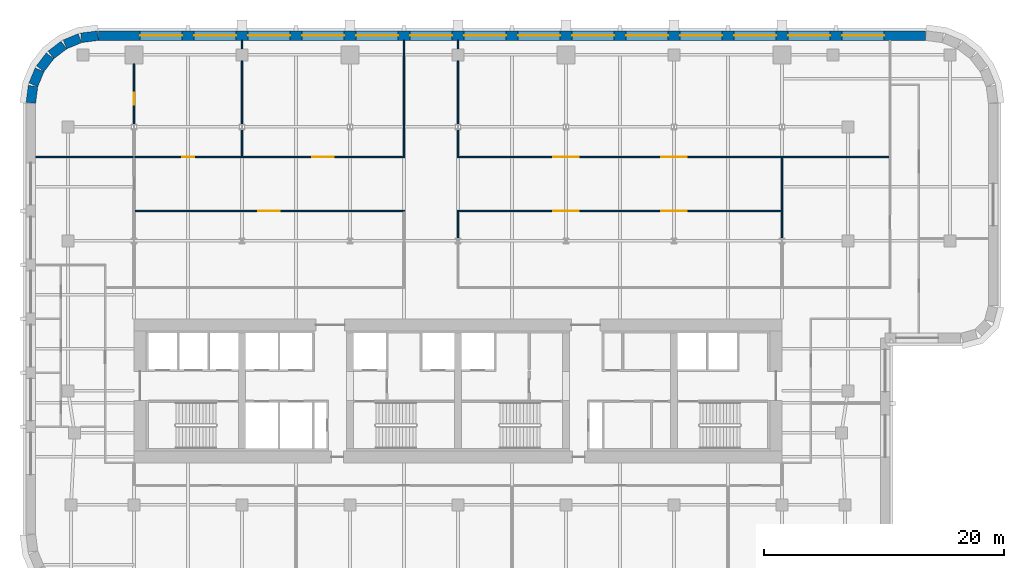
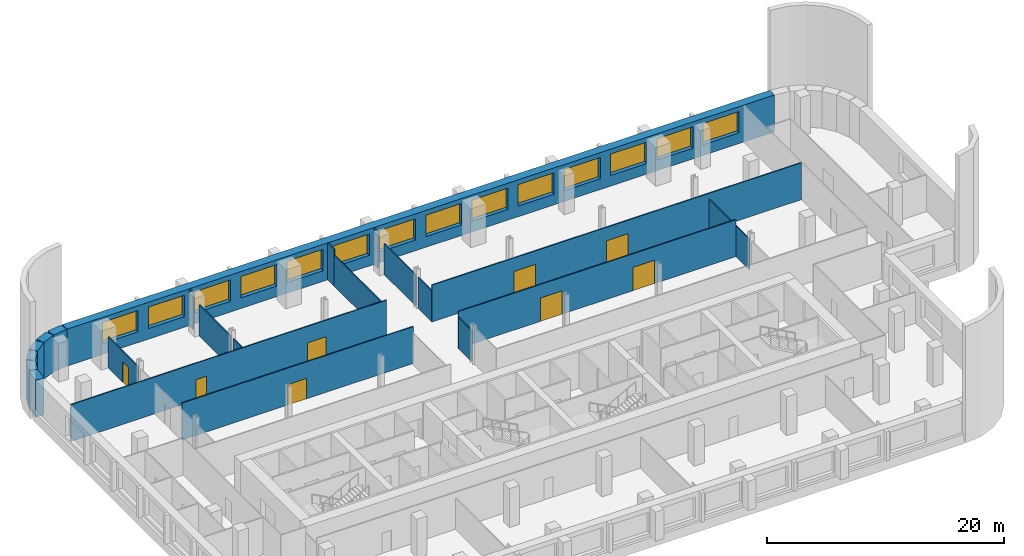
# One storey, part 6 of 10: 22 walls, 14 windows, 8 doors, 22 openings.
"""IFC4 building model written with IfcOpenShell, lengths in metres."""

from ifc_helpers import new_model, si_unit, direction, frame, frame_2d, origin, place, context, subcontext, project, spatial, rectangle, extrude, material, layer, layer_set, type_object, element, fill, save


model = new_model("IFC4")

# Units and contexts
model_context = context("Model", 3, precision=1e-05, world=origin(), true_north=direction((0.0, 1.0)))
body_context = subcontext(model_context, "Body", "Model", "MODEL_VIEW")
ifc_project = project(units=[si_unit("LENGTHUNIT", "METRE"), si_unit("AREAUNIT", "SQUARE_METRE"), si_unit("VOLUMEUNIT", "CUBIC_METRE"), si_unit("PLANEANGLEUNIT", "RADIAN"), si_unit("MASSUNIT", "GRAM", prefix="KILO")], contexts=[model_context])

# Site, building, storey
site_placement = place(None, origin())
site = spatial("IfcSite", under=ifc_project, at=site_placement, CompositionType="ELEMENT")
building_placement = place(site_placement, origin())
building = spatial("IfcBuilding", under=site, at=building_placement, Name="Zellij Exchange Tower", CompositionType="ELEMENT")
storey_placement = place(building_placement, frame((0.0, 0.0, 120.5)))
storey = spatial("IfcBuildingStorey", under=building, at=storey_placement, Name="L26", CompositionType="ELEMENT", Elevation=120.5)

# Wall, openings, windows
ifc_material_1 = material(Name="Precast concrete C40/50", Category="concrete")
ifc_layer_1 = layer(ifc_material_1, 0.800048828125)
ifc_layer_set_1 = layer_set([ifc_layer_1], Name="Precast concrete C40/50")
wall_type_1 = type_object("IfcWallType", Name="ENV-EW1 Precast stone-piered wall 800", PredefinedType="SOLIDWALL", material=ifc_layer_set_1)
wall_1_placement = place(storey_placement, frame((38.947509765625, 21.60009765625, 0.0), z_axis=(0.0, 0.0, 1.0), x_axis=(-1.0, 0.0, 0.0)))
wall_1 = element("IfcWall", 1, at=wall_1_placement, inside=storey, type_object=wall_type_1, Name="fac.L26.19", PredefinedType="SOLIDWALL", context=body_context, shape_type="SweptSolid", body=[
    extrude(rectangle(XDim=68.89501953125, YDim=0.800048828125, at=frame_2d((34.447509765625, 0.0))), origin(), (0.0, 0.0, 1.0), 3.800048828125),
])
opening_1_placement = place(wall_1_placement, frame((3.447509765625, 0.0, 1.10009765625)))
opening_1 = element("IfcOpeningElement", 2, at=opening_1_placement, cuts=wall_1, Name="Opening FZ2.17", PredefinedType="OPENING", context=body_context, shape_type="SweptSolid", body=[
    extrude(rectangle(XDim=3.5, YDim=2.199951171875, at=frame_2d((1.75, 1.10009765625))), frame((0.0, 0.412109375, 0.0), z_axis=(0.0, -1.0, 0.0), x_axis=(1.0, 0.0, 0.0)), (0.0, 0.0, 1.0), 0.823974609375),
])
opening_2_placement = place(wall_1_placement, frame((7.947509765625, 0.0, 1.10009765625)))
opening_2 = element("IfcOpeningElement", 3, at=opening_2_placement, cuts=wall_1, Name="Opening FZ2.18", PredefinedType="OPENING", context=body_context, shape_type="SweptSolid", body=[
    extrude(rectangle(XDim=3.5, YDim=2.199951171875, at=frame_2d((1.75, 1.10009765625))), frame((0.0, 0.412109375, 0.0), z_axis=(0.0, -1.0, 0.0), x_axis=(1.0, 0.0, 0.0)), (0.0, 0.0, 1.0), 0.823974609375),
])
opening_3_placement = place(wall_1_placement, frame((12.447509765625, 0.0, 1.10009765625)))
opening_3 = element("IfcOpeningElement", 4, at=opening_3_placement, cuts=wall_1, Name="Opening FZ2.19", PredefinedType="OPENING", context=body_context, shape_type="SweptSolid", body=[
    extrude(rectangle(XDim=3.5, YDim=2.199951171875, at=frame_2d((1.75, 1.10009765625))), frame((0.0, 0.412109375, 0.0), z_axis=(0.0, -1.0, 0.0), x_axis=(1.0, 0.0, 0.0)), (0.0, 0.0, 1.0), 0.823974609375),
])
opening_4_placement = place(wall_1_placement, frame((16.947509765625, 0.0, 1.10009765625)))
opening_4 = element("IfcOpeningElement", 5, at=opening_4_placement, cuts=wall_1, Name="Opening FZ2.20", PredefinedType="OPENING", context=body_context, shape_type="SweptSolid", body=[
    extrude(rectangle(XDim=3.5, YDim=2.199951171875, at=frame_2d((1.75, 1.10009765625))), frame((0.0, 0.412109375, 0.0), z_axis=(0.0, -1.0, 0.0), x_axis=(1.0, 0.0, 0.0)), (0.0, 0.0, 1.0), 0.823974609375),
])
opening_5_placement = place(wall_1_placement, frame((21.447509765625, 0.0, 1.10009765625)))
opening_5 = element("IfcOpeningElement", 6, at=opening_5_placement, cuts=wall_1, Name="Opening FZ2.21", PredefinedType="OPENING", context=body_context, shape_type="SweptSolid", body=[
    extrude(rectangle(XDim=3.5, YDim=2.199951171875, at=frame_2d((1.75, 1.10009765625))), frame((0.0, 0.412109375, 0.0), z_axis=(0.0, -1.0, 0.0), x_axis=(1.0, 0.0, 0.0)), (0.0, 0.0, 1.0), 0.823974609375),
])
opening_6_placement = place(wall_1_placement, frame((25.947509765625, 0.0, 1.10009765625)))
opening_6 = element("IfcOpeningElement", 7, at=opening_6_placement, cuts=wall_1, Name="Opening FZ2.22", PredefinedType="OPENING", context=body_context, shape_type="SweptSolid", body=[
    extrude(rectangle(XDim=3.5, YDim=2.199951171875, at=frame_2d((1.75, 1.10009765625))), frame((0.0, 0.412109375, 0.0), z_axis=(0.0, -1.0, 0.0), x_axis=(1.0, 0.0, 0.0)), (0.0, 0.0, 1.0), 0.823974609375),
])
opening_7_placement = place(wall_1_placement, frame((30.447509765625, 0.0, 1.10009765625)))
opening_7 = element("IfcOpeningElement", 8, at=opening_7_placement, cuts=wall_1, Name="Opening FZ2.23", PredefinedType="OPENING", context=body_context, shape_type="SweptSolid", body=[
    extrude(rectangle(XDim=3.5, YDim=2.199951171875, at=frame_2d((1.75, 1.10009765625))), frame((0.0, 0.412109375, 0.0), z_axis=(0.0, -1.0, 0.0), x_axis=(1.0, 0.0, 0.0)), (0.0, 0.0, 1.0), 0.823974609375),
])
opening_8_placement = place(wall_1_placement, frame((34.947509765625, 0.0, 1.10009765625)))
opening_8 = element("IfcOpeningElement", 9, at=opening_8_placement, cuts=wall_1, Name="Opening FZ2.24", PredefinedType="OPENING", context=body_context, shape_type="SweptSolid", body=[
    extrude(rectangle(XDim=3.5, YDim=2.199951171875, at=frame_2d((1.75, 1.10009765625))), frame((0.0, 0.412109375, 0.0), z_axis=(0.0, -1.0, 0.0), x_axis=(1.0, 0.0, 0.0)), (0.0, 0.0, 1.0), 0.823974609375),
])
opening_9_placement = place(wall_1_placement, frame((39.447509765625, 0.0, 1.10009765625)))
opening_9 = element("IfcOpeningElement", 10, at=opening_9_placement, cuts=wall_1, Name="Opening FZ2.25", PredefinedType="OPENING", context=body_context, shape_type="SweptSolid", body=[
    extrude(rectangle(XDim=3.5, YDim=2.199951171875, at=frame_2d((1.75, 1.10009765625))), frame((0.0, 0.412109375, 0.0), z_axis=(0.0, -1.0, 0.0), x_axis=(1.0, 0.0, 0.0)), (0.0, 0.0, 1.0), 0.823974609375),
])
opening_10_placement = place(wall_1_placement, frame((43.947509765625, 0.0, 1.10009765625)))
opening_10 = element("IfcOpeningElement", 11, at=opening_10_placement, cuts=wall_1, Name="Opening FZ2.26", PredefinedType="OPENING", context=body_context, shape_type="SweptSolid", body=[
    extrude(rectangle(XDim=3.5, YDim=2.199951171875, at=frame_2d((1.75, 1.10009765625))), frame((0.0, 0.412109375, 0.0), z_axis=(0.0, -1.0, 0.0), x_axis=(1.0, 0.0, 0.0)), (0.0, 0.0, 1.0), 0.823974609375),
])
opening_11_placement = place(wall_1_placement, frame((48.447509765625, 0.0, 1.10009765625)))
opening_11 = element("IfcOpeningElement", 12, at=opening_11_placement, cuts=wall_1, Name="Opening FZ2.27", PredefinedType="OPENING", context=body_context, shape_type="SweptSolid", body=[
    extrude(rectangle(XDim=3.5, YDim=2.199951171875, at=frame_2d((1.75, 1.10009765625))), frame((0.0, 0.412109375, 0.0), z_axis=(0.0, -1.0, 0.0), x_axis=(1.0, 0.0, 0.0)), (0.0, 0.0, 1.0), 0.823974609375),
])
opening_12_placement = place(wall_1_placement, frame((52.947509765625, 0.0, 1.10009765625)))
opening_12 = element("IfcOpeningElement", 13, at=opening_12_placement, cuts=wall_1, Name="Opening FZ2.28", PredefinedType="OPENING", context=body_context, shape_type="SweptSolid", body=[
    extrude(rectangle(XDim=3.5, YDim=2.199951171875, at=frame_2d((1.75, 1.10009765625))), frame((0.0, 0.412109375, 0.0), z_axis=(0.0, -1.0, 0.0), x_axis=(1.0, 0.0, 0.0)), (0.0, 0.0, 1.0), 0.823974609375),
])
opening_13_placement = place(wall_1_placement, frame((57.447509765625, 0.0, 1.10009765625)))
opening_13 = element("IfcOpeningElement", 14, at=opening_13_placement, cuts=wall_1, Name="Opening FZ2.29", PredefinedType="OPENING", context=body_context, shape_type="SweptSolid", body=[
    extrude(rectangle(XDim=3.5, YDim=2.199951171875, at=frame_2d((1.75, 1.10009765625))), frame((0.0, 0.412109375, 0.0), z_axis=(0.0, -1.0, 0.0), x_axis=(1.0, 0.0, 0.0)), (0.0, 0.0, 1.0), 0.823974609375),
])
opening_14_placement = place(wall_1_placement, frame((61.947509765625, 0.0, 1.10009765625)))
opening_14 = element("IfcOpeningElement", 15, at=opening_14_placement, cuts=wall_1, Name="Opening FZ2.30", PredefinedType="OPENING", context=body_context, shape_type="SweptSolid", body=[
    extrude(rectangle(XDim=3.5, YDim=2.199951171875, at=frame_2d((1.75, 1.10009765625))), frame((0.0, 0.412109375, 0.0), z_axis=(0.0, -1.0, 0.0), x_axis=(1.0, 0.0, 0.0)), (0.0, 0.0, 1.0), 0.823974609375),
])
ifc_material_2 = material(Name="Aluminium frame with insulating glass", Category="aluminium")
window_type = type_object("IfcWindowType", Name="ENV-W7 Window 3500x2200", PartitioningType="SINGLE_PANEL", PredefinedType="WINDOW", material=ifc_material_2)
window_1_placement = place(opening_1_placement, origin())
window_1 = element("IfcWindow", 16, at=window_1_placement, inside=storey, type_object=window_type, Name="Window FZ2.17", OverallHeight=2.199951171875, OverallWidth=3.5, PartitioningType="SINGLE_PANEL", PredefinedType="WINDOW", context=body_context, shape_type="SweptSolid", body=[
    extrude(rectangle(XDim=3.5, YDim=2.199951171875, at=frame_2d((1.75, 1.10009765625))), frame((0.0, 0.030029296875, 0.0), z_axis=(0.0, -1.0, 0.0), x_axis=(1.0, 0.0, 0.0)), (0.0, 0.0, 1.0), 0.06005859375),
])
fill(opening_1, window_1)
window_2_placement = place(opening_2_placement, origin())
window_2 = element("IfcWindow", 17, at=window_2_placement, inside=storey, type_object=window_type, Name="Window FZ2.18", OverallHeight=2.199951171875, OverallWidth=3.5, PartitioningType="SINGLE_PANEL", PredefinedType="WINDOW", context=body_context, shape_type="SweptSolid", body=[
    extrude(rectangle(XDim=3.5, YDim=2.199951171875, at=frame_2d((1.75, 1.10009765625))), frame((0.0, 0.030029296875, 0.0), z_axis=(0.0, -1.0, 0.0), x_axis=(1.0, 0.0, 0.0)), (0.0, 0.0, 1.0), 0.06005859375),
])
fill(opening_2, window_2)
window_3_placement = place(opening_3_placement, origin())
window_3 = element("IfcWindow", 18, at=window_3_placement, inside=storey, type_object=window_type, Name="Window FZ2.19", OverallHeight=2.199951171875, OverallWidth=3.5, PartitioningType="SINGLE_PANEL", PredefinedType="WINDOW", context=body_context, shape_type="SweptSolid", body=[
    extrude(rectangle(XDim=3.5, YDim=2.199951171875, at=frame_2d((1.75, 1.10009765625))), frame((0.0, 0.030029296875, 0.0), z_axis=(0.0, -1.0, 0.0), x_axis=(1.0, 0.0, 0.0)), (0.0, 0.0, 1.0), 0.06005859375),
])
fill(opening_3, window_3)
window_4_placement = place(opening_4_placement, origin())
window_4 = element("IfcWindow", 19, at=window_4_placement, inside=storey, type_object=window_type, Name="Window FZ2.20", OverallHeight=2.199951171875, OverallWidth=3.5, PartitioningType="SINGLE_PANEL", PredefinedType="WINDOW", context=body_context, shape_type="SweptSolid", body=[
    extrude(rectangle(XDim=3.5, YDim=2.199951171875, at=frame_2d((1.75, 1.10009765625))), frame((0.0, 0.030029296875, 0.0), z_axis=(0.0, -1.0, 0.0), x_axis=(1.0, 0.0, 0.0)), (0.0, 0.0, 1.0), 0.06005859375),
])
fill(opening_4, window_4)
window_5_placement = place(opening_5_placement, origin())
window_5 = element("IfcWindow", 20, at=window_5_placement, inside=storey, type_object=window_type, Name="Window FZ2.21", OverallHeight=2.199951171875, OverallWidth=3.5, PartitioningType="SINGLE_PANEL", PredefinedType="WINDOW", context=body_context, shape_type="SweptSolid", body=[
    extrude(rectangle(XDim=3.5, YDim=2.199951171875, at=frame_2d((1.75, 1.10009765625))), frame((0.0, 0.030029296875, 0.0), z_axis=(0.0, -1.0, 0.0), x_axis=(1.0, 0.0, 0.0)), (0.0, 0.0, 1.0), 0.06005859375),
])
fill(opening_5, window_5)
window_6_placement = place(opening_6_placement, origin())
window_6 = element("IfcWindow", 21, at=window_6_placement, inside=storey, type_object=window_type, Name="Window FZ2.22", OverallHeight=2.199951171875, OverallWidth=3.5, PartitioningType="SINGLE_PANEL", PredefinedType="WINDOW", context=body_context, shape_type="SweptSolid", body=[
    extrude(rectangle(XDim=3.5, YDim=2.199951171875, at=frame_2d((1.75, 1.10009765625))), frame((0.0, 0.030029296875, 0.0), z_axis=(0.0, -1.0, 0.0), x_axis=(1.0, 0.0, 0.0)), (0.0, 0.0, 1.0), 0.06005859375),
])
fill(opening_6, window_6)
window_7_placement = place(opening_7_placement, origin())
window_7 = element("IfcWindow", 22, at=window_7_placement, inside=storey, type_object=window_type, Name="Window FZ2.23", OverallHeight=2.199951171875, OverallWidth=3.5, PartitioningType="SINGLE_PANEL", PredefinedType="WINDOW", context=body_context, shape_type="SweptSolid", body=[
    extrude(rectangle(XDim=3.5, YDim=2.199951171875, at=frame_2d((1.75, 1.10009765625))), frame((0.0, 0.030029296875, 0.0), z_axis=(0.0, -1.0, 0.0), x_axis=(1.0, 0.0, 0.0)), (0.0, 0.0, 1.0), 0.06005859375),
])
fill(opening_7, window_7)
window_8_placement = place(opening_8_placement, origin())
window_8 = element("IfcWindow", 23, at=window_8_placement, inside=storey, type_object=window_type, Name="Window FZ2.24", OverallHeight=2.199951171875, OverallWidth=3.5, PartitioningType="SINGLE_PANEL", PredefinedType="WINDOW", context=body_context, shape_type="SweptSolid", body=[
    extrude(rectangle(XDim=3.5, YDim=2.199951171875, at=frame_2d((1.75, 1.10009765625))), frame((0.0, 0.030029296875, 0.0), z_axis=(0.0, -1.0, 0.0), x_axis=(1.0, 0.0, 0.0)), (0.0, 0.0, 1.0), 0.06005859375),
])
fill(opening_8, window_8)
window_9_placement = place(opening_9_placement, origin())
window_9 = element("IfcWindow", 24, at=window_9_placement, inside=storey, type_object=window_type, Name="Window FZ2.25", OverallHeight=2.199951171875, OverallWidth=3.5, PartitioningType="SINGLE_PANEL", PredefinedType="WINDOW", context=body_context, shape_type="SweptSolid", body=[
    extrude(rectangle(XDim=3.5, YDim=2.199951171875, at=frame_2d((1.75, 1.10009765625))), frame((0.0, 0.030029296875, 0.0), z_axis=(0.0, -1.0, 0.0), x_axis=(1.0, 0.0, 0.0)), (0.0, 0.0, 1.0), 0.06005859375),
])
fill(opening_9, window_9)
window_10_placement = place(opening_10_placement, origin())
window_10 = element("IfcWindow", 25, at=window_10_placement, inside=storey, type_object=window_type, Name="Window FZ2.26", OverallHeight=2.199951171875, OverallWidth=3.5, PartitioningType="SINGLE_PANEL", PredefinedType="WINDOW", context=body_context, shape_type="SweptSolid", body=[
    extrude(rectangle(XDim=3.5, YDim=2.199951171875, at=frame_2d((1.75, 1.10009765625))), frame((0.0, 0.030029296875, 0.0), z_axis=(0.0, -1.0, 0.0), x_axis=(1.0, 0.0, 0.0)), (0.0, 0.0, 1.0), 0.06005859375),
])
fill(opening_10, window_10)
window_11_placement = place(opening_11_placement, origin())
window_11 = element("IfcWindow", 26, at=window_11_placement, inside=storey, type_object=window_type, Name="Window FZ2.27", OverallHeight=2.199951171875, OverallWidth=3.5, PartitioningType="SINGLE_PANEL", PredefinedType="WINDOW", context=body_context, shape_type="SweptSolid", body=[
    extrude(rectangle(XDim=3.5, YDim=2.199951171875, at=frame_2d((1.75, 1.10009765625))), frame((0.0, 0.030029296875, 0.0), z_axis=(0.0, -1.0, 0.0), x_axis=(1.0, 0.0, 0.0)), (0.0, 0.0, 1.0), 0.06005859375),
])
fill(opening_11, window_11)
window_12_placement = place(opening_12_placement, origin())
window_12 = element("IfcWindow", 27, at=window_12_placement, inside=storey, type_object=window_type, Name="Window FZ2.28", OverallHeight=2.199951171875, OverallWidth=3.5, PartitioningType="SINGLE_PANEL", PredefinedType="WINDOW", context=body_context, shape_type="SweptSolid", body=[
    extrude(rectangle(XDim=3.5, YDim=2.199951171875, at=frame_2d((1.75, 1.10009765625))), frame((0.0, 0.030029296875, 0.0), z_axis=(0.0, -1.0, 0.0), x_axis=(1.0, 0.0, 0.0)), (0.0, 0.0, 1.0), 0.06005859375),
])
fill(opening_12, window_12)
window_13_placement = place(opening_13_placement, origin())
window_13 = element("IfcWindow", 28, at=window_13_placement, inside=storey, type_object=window_type, Name="Window FZ2.29", OverallHeight=2.199951171875, OverallWidth=3.5, PartitioningType="SINGLE_PANEL", PredefinedType="WINDOW", context=body_context, shape_type="SweptSolid", body=[
    extrude(rectangle(XDim=3.5, YDim=2.199951171875, at=frame_2d((1.75, 1.10009765625))), frame((0.0, 0.030029296875, 0.0), z_axis=(0.0, -1.0, 0.0), x_axis=(1.0, 0.0, 0.0)), (0.0, 0.0, 1.0), 0.06005859375),
])
fill(opening_13, window_13)
window_14_placement = place(opening_14_placement, origin())
window_14 = element("IfcWindow", 29, at=window_14_placement, inside=storey, type_object=window_type, Name="Window FZ2.30", OverallHeight=2.199951171875, OverallWidth=3.5, PartitioningType="SINGLE_PANEL", PredefinedType="WINDOW", context=body_context, shape_type="SweptSolid", body=[
    extrude(rectangle(XDim=3.5, YDim=2.199951171875, at=frame_2d((1.75, 1.10009765625))), frame((0.0, 0.030029296875, 0.0), z_axis=(0.0, -1.0, 0.0), x_axis=(1.0, 0.0, 0.0)), (0.0, 0.0, 1.0), 0.06005859375),
])
fill(opening_14, window_14)

# Walls
wall_2_placement = place(storey_placement, frame((-29.999755859375, 21.5966796875, 0.0), z_axis=(0.0, 0.0, 1.0), x_axis=(-0.99144603414, -0.130517283865, 0.0)))
element("IfcWall", 30, at=wall_2_placement, inside=storey, type_object=wall_type_1, Name="fac.L26.20", PredefinedType="SOLIDWALL", context=body_context, shape_type="SweptSolid", body=[
    extrude(rectangle(XDim=1.408447265625, YDim=0.800048828125, at=frame_2d((0.7041015625, 0.0))), origin(), (0.0, 0.0, 1.0), 3.800048828125),
])
wall_3_placement = place(storey_placement, frame((-31.497314453125, 21.3857421875, 0.0), z_axis=(0.0, 0.0, 1.0), x_axis=(-0.923847774587, -0.38276009378, 0.0)))
element("IfcWall", 31, at=wall_3_placement, inside=storey, type_object=wall_type_1, Name="fac.L26.21", PredefinedType="SOLIDWALL", context=body_context, shape_type="SweptSolid", body=[
    extrude(rectangle(XDim=1.35546875, YDim=0.800048828125, at=frame_2d((0.677734375, 0.0))), origin(), (0.0, 0.0, 1.0), 3.800048828125),
])
for number, where, z_axis, x_axis, name in (
    (32, (-32.840087890625, 20.814697265625, 0.0), (0.0, 0.0, 1.0), (-0.793272915452, -0.608866226366, 0.0), "fac.L26.22"),
    (33, (-33.9892578125, 19.91552734375, 0.0), (0.0, 0.0, 1.0), (-0.608866226366, -0.793272915452, 0.0), "fac.L26.23"),
):
    element("IfcWall", number, at=place(storey_placement, frame(where, z_axis=z_axis, x_axis=x_axis)), inside=storey, type_object=wall_type_1, Name=name, PredefinedType="SOLIDWALL", context=body_context, shape_type="SweptSolid", body=[
        extrude(rectangle(XDim=1.355712890625, YDim=0.800048828125, at=frame_2d((0.677734375, 0.0))), origin(), (0.0, 0.0, 1.0), 3.800048828125),
    ])
wall_4_placement = place(storey_placement, frame((-34.866943359375, 18.74951171875, 0.0), z_axis=(0.0, 0.0, 1.0), x_axis=(-0.38276009378, -0.923847774587, 0.0)))
element("IfcWall", 34, at=wall_4_placement, inside=storey, type_object=wall_type_1, Name="fac.L26.24", PredefinedType="SOLIDWALL", context=body_context, shape_type="SweptSolid", body=[
    extrude(rectangle(XDim=1.35546875, YDim=0.800048828125, at=frame_2d((0.677734375, 0.0))), origin(), (0.0, 0.0, 1.0), 3.800048828125),
])
wall_5_placement = place(storey_placement, frame((-35.412841796875, 17.396240234375, 0.0), z_axis=(0.0, 0.0, 1.0), x_axis=(-0.130517283865, -0.99144603414, 0.0)))
element("IfcWall", 35, at=wall_5_placement, inside=storey, type_object=wall_type_1, Name="fac.L26.25", PredefinedType="SOLIDWALL", context=body_context, shape_type="SweptSolid", body=[
    extrude(rectangle(XDim=1.408447265625, YDim=0.800048828125, at=frame_2d((0.7041015625, 0.0))), origin(), (0.0, 0.0, 1.0), 3.800048828125),
])
ifc_material_3 = material(Name="Gypsum board partition on steel studs", Category="steel")
ifc_layer_2 = layer(ifc_material_3, 0.10009765625)
ifc_layer_set_2 = layer_set([ifc_layer_2], Name="Gypsum board partition on steel studs")
wall_type_2 = type_object("IfcWallType", Name="FIT-PARTITION-100", PredefinedType="PARTITIONING", material=ifc_layer_set_2)
wall_6_placement = place(storey_placement, frame((0.0, 4.727294921875, 0.0), z_axis=(0.0, 0.0, 1.0), x_axis=(0.0, 1.0, 0.0)))
element("IfcWall", 36, at=wall_6_placement, inside=storey, type_object=wall_type_2, Name="FIT-PARTITION-100 029", PredefinedType="PARTITIONING", context=body_context, shape_type="SweptSolid", body=[
    extrude(rectangle(XDim=2.212646484375, YDim=0.10009765625, at=frame_2d((1.1064453125, 0.0))), origin(), (0.0, 0.0, 1.0), 3.18798828125),
])
wall_7_placement = place(storey_placement, frame((27.0, 4.727294921875, 0.0), z_axis=(0.0, 0.0, 1.0), x_axis=(0.0, 1.0, 0.0)))
element("IfcWall", 37, at=wall_7_placement, inside=storey, type_object=wall_type_2, Name="FIT-PARTITION-100 031", PredefinedType="PARTITIONING", context=body_context, shape_type="SweptSolid", body=[
    extrude(rectangle(XDim=6.70263671875, YDim=0.10009765625, at=frame_2d((3.351318359375, 0.0))), origin(), (0.0, 0.0, 1.0), 3.18798828125),
])

# Wall, opening, door
wall_8_placement = place(storey_placement, frame((-26.949951171875, 6.989990234375, 0.0), z_axis=(0.0, 0.0, 1.0), x_axis=(1.0, 0.0, 0.0)))
wall_8 = element("IfcWall", 38, at=wall_8_placement, inside=storey, type_object=wall_type_2, Name="FIT-PARTITION-100 036", PredefinedType="PARTITIONING", context=body_context, shape_type="SweptSolid", body=[
    extrude(rectangle(XDim=22.5, YDim=0.10009765625, at=frame_2d((11.25, 0.0))), origin(), (0.0, 0.0, 1.0), 3.800048828125),
])
opening_15_placement = place(wall_8_placement, frame((10.300048828125, 0.0, 0.0)))
opening_15 = element("IfcOpeningElement", 39, at=opening_15_placement, cuts=wall_8, Name="Opening TF.12", PredefinedType="OPENING", context=body_context, shape_type="SweptSolid", body=[
    extrude(rectangle(XDim=1.800048828125, YDim=2.10009765625, at=frame_2d((0.89990234375, 1.050048828125))), frame((0.0, 0.06201171875, 0.0), z_axis=(0.0, -1.0, 0.0), x_axis=(1.0, 0.0, 0.0)), (0.0, 0.0, 1.0), 0.1240234375),
])
ifc_material_4 = material(Name="Timber door set", Category="wood")
door_type_1 = type_object("IfcDoorType", Name="FIT-D3-DOUBLE-1800X2100", OperationType="DOUBLE_DOOR_SINGLE_SWING", PredefinedType="DOOR", material=ifc_material_4)
door_1_placement = place(opening_15_placement, origin())
door_1 = element("IfcDoor", 40, at=door_1_placement, inside=storey, type_object=door_type_1, Name="Door TF.12", OperationType="DOUBLE_DOOR_SINGLE_SWING", OverallHeight=2.10009765625, OverallWidth=1.800048828125, PredefinedType="DOOR", context=body_context, shape_type="SweptSolid", body=[
    extrude(rectangle(XDim=1.800048828125, YDim=2.10009765625, at=frame_2d((0.89990234375, 1.050048828125))), frame((0.0, 0.02490234375, 0.0), z_axis=(0.0, -1.0, 0.0), x_axis=(1.0, 0.0, 0.0)), (0.0, 0.0, 1.0), 0.050048828125),
])
fill(opening_15, door_1)

# Wall, openings, doors
wall_9_placement = place(storey_placement, frame((-0.050048828125, 6.989990234375, 0.0), z_axis=(0.0, 0.0, 1.0), x_axis=(1.0, 0.0, 0.0)))
wall_9 = element("IfcWall", 41, at=wall_9_placement, inside=storey, type_object=wall_type_2, Name="FIT-PARTITION-100 037", PredefinedType="PARTITIONING", context=body_context, shape_type="SweptSolid", body=[
    extrude(rectangle(XDim=27.0, YDim=0.10009765625, at=frame_2d((13.5, 0.0))), origin(), (0.0, 0.0, 1.0), 3.800048828125),
])
opening_16_placement = place(wall_9_placement, frame((8.0, 0.0, 0.0)))
opening_16 = element("IfcOpeningElement", 42, at=opening_16_placement, cuts=wall_9, Name="Opening TF.13", PredefinedType="OPENING", context=body_context, shape_type="SweptSolid", body=[
    extrude(rectangle(XDim=2.10009765625, YDim=2.39990234375, at=frame_2d((1.050048828125, 1.199951171875))), frame((0.0, 0.06201171875, 0.0), z_axis=(0.0, -1.0, 0.0), x_axis=(1.0, 0.0, 0.0)), (0.0, 0.0, 1.0), 0.1240234375),
])
opening_17_placement = place(wall_9_placement, frame((17.0, 0.0, 0.0)))
opening_17 = element("IfcOpeningElement", 43, at=opening_17_placement, cuts=wall_9, Name="Opening TF.14", PredefinedType="OPENING", context=body_context, shape_type="SweptSolid", body=[
    extrude(rectangle(XDim=2.10009765625, YDim=2.39990234375, at=frame_2d((1.050048828125, 1.199951171875))), frame((0.0, 0.06201171875, 0.0), z_axis=(0.0, -1.0, 0.0), x_axis=(1.0, 0.0, 0.0)), (0.0, 0.0, 1.0), 0.1240234375),
])
door_type_2 = type_object("IfcDoorType", Name="FIT-D7-ASSEMBLY-2100X2400", OperationType="DOUBLE_DOOR_SINGLE_SWING", PredefinedType="DOOR", material=ifc_material_4)
door_2_placement = place(opening_16_placement, origin())
door_2 = element("IfcDoor", 44, at=door_2_placement, inside=storey, type_object=door_type_2, Name="Door TF.13", OperationType="DOUBLE_DOOR_SINGLE_SWING", OverallHeight=2.39990234375, OverallWidth=2.10009765625, PredefinedType="DOOR", context=body_context, shape_type="SweptSolid", body=[
    extrude(rectangle(XDim=2.10009765625, YDim=2.39990234375, at=frame_2d((1.050048828125, 1.199951171875))), frame((0.0, 0.02490234375, 0.0), z_axis=(0.0, -1.0, 0.0), x_axis=(1.0, 0.0, 0.0)), (0.0, 0.0, 1.0), 0.050048828125),
])
fill(opening_16, door_2)
door_3_placement = place(opening_17_placement, origin())
door_3 = element("IfcDoor", 45, at=door_3_placement, inside=storey, type_object=door_type_2, Name="Door TF.14", OperationType="DOUBLE_DOOR_SINGLE_SWING", OverallHeight=2.39990234375, OverallWidth=2.10009765625, PredefinedType="DOOR", context=body_context, shape_type="SweptSolid", body=[
    extrude(rectangle(XDim=2.10009765625, YDim=2.39990234375, at=frame_2d((1.050048828125, 1.199951171875))), frame((0.0, 0.02490234375, 0.0), z_axis=(0.0, -1.0, 0.0), x_axis=(1.0, 0.0, 0.0)), (0.0, 0.0, 1.0), 0.050048828125),
])
fill(opening_17, door_3)

wall_10_placement = place(storey_placement, frame((-35.199951171875, 11.47998046875, 0.0), z_axis=(0.0, 0.0, 1.0), x_axis=(1.0, 0.0, 0.0)))
wall_10 = element("IfcWall", 46, at=wall_10_placement, inside=storey, type_object=wall_type_2, Name="FIT-PARTITION-100 038", PredefinedType="PARTITIONING", context=body_context, shape_type="SweptSolid", body=[
    extrude(rectangle(XDim=30.75, YDim=0.10009765625, at=frame_2d((15.375, 0.0))), origin(), (0.0, 0.0, 1.0), 3.800048828125),
])
opening_18_placement = place(wall_10_placement, frame((12.199951171875, 0.0, 0.0)))
opening_18 = element("IfcOpeningElement", 47, at=opening_18_placement, cuts=wall_10, Name="Opening TF.17", PredefinedType="OPENING", context=body_context, shape_type="SweptSolid", body=[
    extrude(rectangle(XDim=1.0, YDim=2.10009765625, at=frame_2d((0.5, 1.050048828125))), frame((0.0, 0.06201171875, 0.0), z_axis=(0.0, -1.0, 0.0), x_axis=(1.0, 0.0, 0.0)), (0.0, 0.0, 1.0), 0.1240234375),
])
opening_19_placement = place(wall_10_placement, frame((23.050048828125, 0.0, 0.0)))
opening_19 = element("IfcOpeningElement", 48, at=opening_19_placement, cuts=wall_10, Name="Opening TF.18", PredefinedType="OPENING", context=body_context, shape_type="SweptSolid", body=[
    extrude(rectangle(XDim=1.800048828125, YDim=2.10009765625, at=frame_2d((0.89990234375, 1.050048828125))), frame((0.0, 0.06201171875, 0.0), z_axis=(0.0, -1.0, 0.0), x_axis=(1.0, 0.0, 0.0)), (0.0, 0.0, 1.0), 0.1240234375),
])
door_type_3 = type_object("IfcDoorType", Name="FIT-D2-WIDE-1000X2100", OperationType="SINGLE_SWING_LEFT", PredefinedType="DOOR", material=ifc_material_4)
door_4_placement = place(opening_18_placement, origin())
door_4 = element("IfcDoor", 49, at=door_4_placement, inside=storey, type_object=door_type_3, Name="Door TF.17", OperationType="SINGLE_SWING_RIGHT", OverallHeight=2.10009765625, OverallWidth=1.0, PredefinedType="DOOR", context=body_context, shape_type="SweptSolid", body=[
    extrude(rectangle(XDim=1.0, YDim=2.10009765625, at=frame_2d((0.5, 1.050048828125))), frame((0.0, 0.02490234375, 0.0), z_axis=(0.0, -1.0, 0.0), x_axis=(1.0, 0.0, 0.0)), (0.0, 0.0, 1.0), 0.050048828125),
])
fill(opening_18, door_4)
door_5_placement = place(opening_19_placement, origin())
door_5 = element("IfcDoor", 50, at=door_5_placement, inside=storey, type_object=door_type_1, Name="Door TF.18", OperationType="DOUBLE_DOOR_SINGLE_SWING", OverallHeight=2.10009765625, OverallWidth=1.800048828125, PredefinedType="DOOR", context=body_context, shape_type="SweptSolid", body=[
    extrude(rectangle(XDim=1.800048828125, YDim=2.10009765625, at=frame_2d((0.89990234375, 1.050048828125))), frame((0.0, 0.02490234375, 0.0), z_axis=(0.0, -1.0, 0.0), x_axis=(1.0, 0.0, 0.0)), (0.0, 0.0, 1.0), 0.050048828125),
])
fill(opening_19, door_5)

# Wall, opening, door
wall_11_placement = place(storey_placement, frame((-27.0, 14.227294921875, 0.0), z_axis=(0.0, 0.0, 1.0), x_axis=(0.0, 1.0, 0.0)))
wall_11 = element("IfcWall", 51, at=wall_11_placement, inside=storey, type_object=wall_type_2, Name="FIT-PARTITION-100 040", PredefinedType="PARTITIONING", context=body_context, shape_type="SweptSolid", body=[
    extrude(rectangle(XDim=5.022705078125, YDim=0.10009765625, at=frame_2d((2.51123046875, 0.0))), origin(), (0.0, 0.0, 1.0), 3.18798828125),
])
opening_20_placement = place(wall_11_placement, frame((1.602783203125, 0.0, 0.0)))
opening_20 = element("IfcOpeningElement", 52, at=opening_20_placement, cuts=wall_11, Name="Opening TF.21", PredefinedType="OPENING", context=body_context, shape_type="SweptSolid", body=[
    extrude(rectangle(XDim=1.0, YDim=2.10009765625, at=frame_2d((0.5, 1.050048828125))), frame((0.0, 0.06201171875, 0.0), z_axis=(0.0, -1.0, 0.0), x_axis=(1.0, 0.0, 0.0)), (0.0, 0.0, 1.0), 0.1240234375),
])
door_6_placement = place(opening_20_placement, origin())
door_6 = element("IfcDoor", 53, at=door_6_placement, inside=storey, type_object=door_type_3, Name="Door TF.21", OperationType="SINGLE_SWING_RIGHT", OverallHeight=2.10009765625, OverallWidth=1.0, PredefinedType="DOOR", context=body_context, shape_type="SweptSolid", body=[
    extrude(rectangle(XDim=1.0, YDim=2.10009765625, at=frame_2d((0.5, 1.050048828125))), frame((0.0, 0.02490234375, 0.0), z_axis=(0.0, -1.0, 0.0), x_axis=(1.0, 0.0, 0.0)), (0.0, 0.0, 1.0), 0.050048828125),
])
fill(opening_20, door_6)

# Walls
wall_12_placement = place(storey_placement, frame((-18.0, 11.530029296875, 0.0), z_axis=(0.0, 0.0, 1.0), x_axis=(0.0, 1.0, 0.0)))
element("IfcWall", 54, at=wall_12_placement, inside=storey, type_object=wall_type_2, Name="FIT-PARTITION-100 041", PredefinedType="PARTITIONING", context=body_context, shape_type="SweptSolid", body=[
    extrude(rectangle(XDim=2.24267578125, YDim=0.10009765625, at=frame_2d((1.121337890625, 0.0))), origin(), (0.0, 0.0, 1.0), 3.18798828125),
])
wall_13_placement = place(storey_placement, frame((-18.0, 14.227294921875, 0.0), z_axis=(0.0, 0.0, 1.0), x_axis=(0.0, 1.0, 0.0)))
element("IfcWall", 55, at=wall_13_placement, inside=storey, type_object=wall_type_2, Name="FIT-PARTITION-100 042", PredefinedType="PARTITIONING", context=body_context, shape_type="SweptSolid", body=[
    extrude(rectangle(XDim=5.272705078125, YDim=0.10009765625, at=frame_2d((2.63623046875, 0.0))), origin(), (0.0, 0.0, 1.0), 3.18798828125),
])
wall_14_placement = place(storey_placement, frame((-18.0, 20.5, 0.0), z_axis=(0.0, 0.0, 1.0), x_axis=(0.0, 1.0, 0.0)))
element("IfcWall", 56, at=wall_14_placement, inside=storey, type_object=wall_type_2, Name="FIT-PARTITION-100 043", PredefinedType="PARTITIONING", context=body_context, shape_type="SweptSolid", body=[
    extrude(rectangle(XDim=0.699951171875, YDim=0.10009765625, at=frame_2d((0.35009765625, 0.0))), origin(), (0.0, 0.0, 1.0), 3.800048828125),
])
wall_15_placement = place(storey_placement, frame((-4.5, 11.530029296875, 0.0), z_axis=(0.0, 0.0, 1.0), x_axis=(0.0, 1.0, 0.0)))
element("IfcWall", 57, at=wall_15_placement, inside=storey, type_object=wall_type_2, Name="FIT-PARTITION-100 044", PredefinedType="PARTITIONING", context=body_context, shape_type="SweptSolid", body=[
    extrude(rectangle(XDim=8.58447265625, YDim=0.10009765625, at=frame_2d((4.292236328125, 0.0))), origin(), (0.0, 0.0, 1.0), 3.197998046875),
])
wall_16_placement = place(storey_placement, frame((-4.5, 20.114501953125, 0.0), z_axis=(0.0, 0.0, 1.0), x_axis=(0.0, 1.0, 0.0)))
element("IfcWall", 58, at=wall_16_placement, inside=storey, type_object=wall_type_2, Name="FIT-PARTITION-100 045", PredefinedType="PARTITIONING", context=body_context, shape_type="SweptSolid", body=[
    extrude(rectangle(XDim=1.08544921875, YDim=0.10009765625, at=frame_2d((0.542724609375, 0.0))), origin(), (0.0, 0.0, 1.0), 3.800048828125),
])

# Wall, openings, doors
wall_17_placement = place(storey_placement, frame((-0.050048828125, 11.47998046875, 0.0), z_axis=(0.0, 0.0, 1.0), x_axis=(1.0, 0.0, 0.0)))
wall_17 = element("IfcWall", 59, at=wall_17_placement, inside=storey, type_object=wall_type_2, Name="FIT-PARTITION-100 046", PredefinedType="PARTITIONING", context=body_context, shape_type="SweptSolid", body=[
    extrude(rectangle(XDim=36.0, YDim=0.10009765625, at=frame_2d((18.0, 0.0))), origin(), (0.0, 0.0, 1.0), 3.800048828125),
])
opening_21_placement = place(wall_17_placement, frame((8.0, 0.0, 0.0)))
opening_21 = element("IfcOpeningElement", 60, at=opening_21_placement, cuts=wall_17, Name="Opening TF.19", PredefinedType="OPENING", context=body_context, shape_type="SweptSolid", body=[
    extrude(rectangle(XDim=2.10009765625, YDim=2.39990234375, at=frame_2d((1.050048828125, 1.199951171875))), frame((0.0, 0.06201171875, 0.0), z_axis=(0.0, -1.0, 0.0), x_axis=(1.0, 0.0, 0.0)), (0.0, 0.0, 1.0), 0.1240234375),
])
opening_22_placement = place(wall_17_placement, frame((17.0, 0.0, 0.0)))
opening_22 = element("IfcOpeningElement", 61, at=opening_22_placement, cuts=wall_17, Name="Opening TF.20", PredefinedType="OPENING", context=body_context, shape_type="SweptSolid", body=[
    extrude(rectangle(XDim=2.10009765625, YDim=2.39990234375, at=frame_2d((1.050048828125, 1.199951171875))), frame((0.0, 0.06201171875, 0.0), z_axis=(0.0, -1.0, 0.0), x_axis=(1.0, 0.0, 0.0)), (0.0, 0.0, 1.0), 0.1240234375),
])
door_7_placement = place(opening_21_placement, origin())
door_7 = element("IfcDoor", 62, at=door_7_placement, inside=storey, type_object=door_type_2, Name="Door TF.19", OperationType="DOUBLE_DOOR_SINGLE_SWING", OverallHeight=2.39990234375, OverallWidth=2.10009765625, PredefinedType="DOOR", context=body_context, shape_type="SweptSolid", body=[
    extrude(rectangle(XDim=2.10009765625, YDim=2.39990234375, at=frame_2d((1.050048828125, 1.199951171875))), frame((0.0, 0.02490234375, 0.0), z_axis=(0.0, -1.0, 0.0), x_axis=(1.0, 0.0, 0.0)), (0.0, 0.0, 1.0), 0.050048828125),
])
fill(opening_21, door_7)
door_8_placement = place(opening_22_placement, origin())
door_8 = element("IfcDoor", 63, at=door_8_placement, inside=storey, type_object=door_type_2, Name="Door TF.20", OperationType="DOUBLE_DOOR_SINGLE_SWING", OverallHeight=2.39990234375, OverallWidth=2.10009765625, PredefinedType="DOOR", context=body_context, shape_type="SweptSolid", body=[
    extrude(rectangle(XDim=2.10009765625, YDim=2.39990234375, at=frame_2d((1.050048828125, 1.199951171875))), frame((0.0, 0.02490234375, 0.0), z_axis=(0.0, -1.0, 0.0), x_axis=(1.0, 0.0, 0.0)), (0.0, 0.0, 1.0), 0.050048828125),
])
fill(opening_22, door_8)

# Walls
wall_18_placement = place(storey_placement, frame((0.0, 11.530029296875, 0.0), z_axis=(0.0, 0.0, 1.0), x_axis=(0.0, 1.0, 0.0)))
element("IfcWall", 64, at=wall_18_placement, inside=storey, type_object=wall_type_2, Name="FIT-PARTITION-100 047", PredefinedType="PARTITIONING", context=body_context, shape_type="SweptSolid", body=[
    extrude(rectangle(XDim=2.24267578125, YDim=0.10009765625, at=frame_2d((1.121337890625, 0.0))), origin(), (0.0, 0.0, 1.0), 3.18798828125),
])
wall_19_placement = place(storey_placement, frame((0.0, 14.227294921875, 0.0), z_axis=(0.0, 0.0, 1.0), x_axis=(0.0, 1.0, 0.0)))
element("IfcWall", 65, at=wall_19_placement, inside=storey, type_object=wall_type_2, Name="FIT-PARTITION-100 048", PredefinedType="PARTITIONING", context=body_context, shape_type="SweptSolid", body=[
    extrude(rectangle(XDim=5.272705078125, YDim=0.10009765625, at=frame_2d((2.63623046875, 0.0))), origin(), (0.0, 0.0, 1.0), 3.18798828125),
])
wall_20_placement = place(storey_placement, frame((0.0, 20.5, 0.0), z_axis=(0.0, 0.0, 1.0), x_axis=(0.0, 1.0, 0.0)))
element("IfcWall", 66, at=wall_20_placement, inside=storey, type_object=wall_type_2, Name="FIT-PARTITION-100 049", PredefinedType="PARTITIONING", context=body_context, shape_type="SweptSolid", body=[
    extrude(rectangle(XDim=0.699951171875, YDim=0.10009765625, at=frame_2d((0.35009765625, 0.0))), origin(), (0.0, 0.0, 1.0), 3.800048828125),
])

save(model, "model.ifc")
